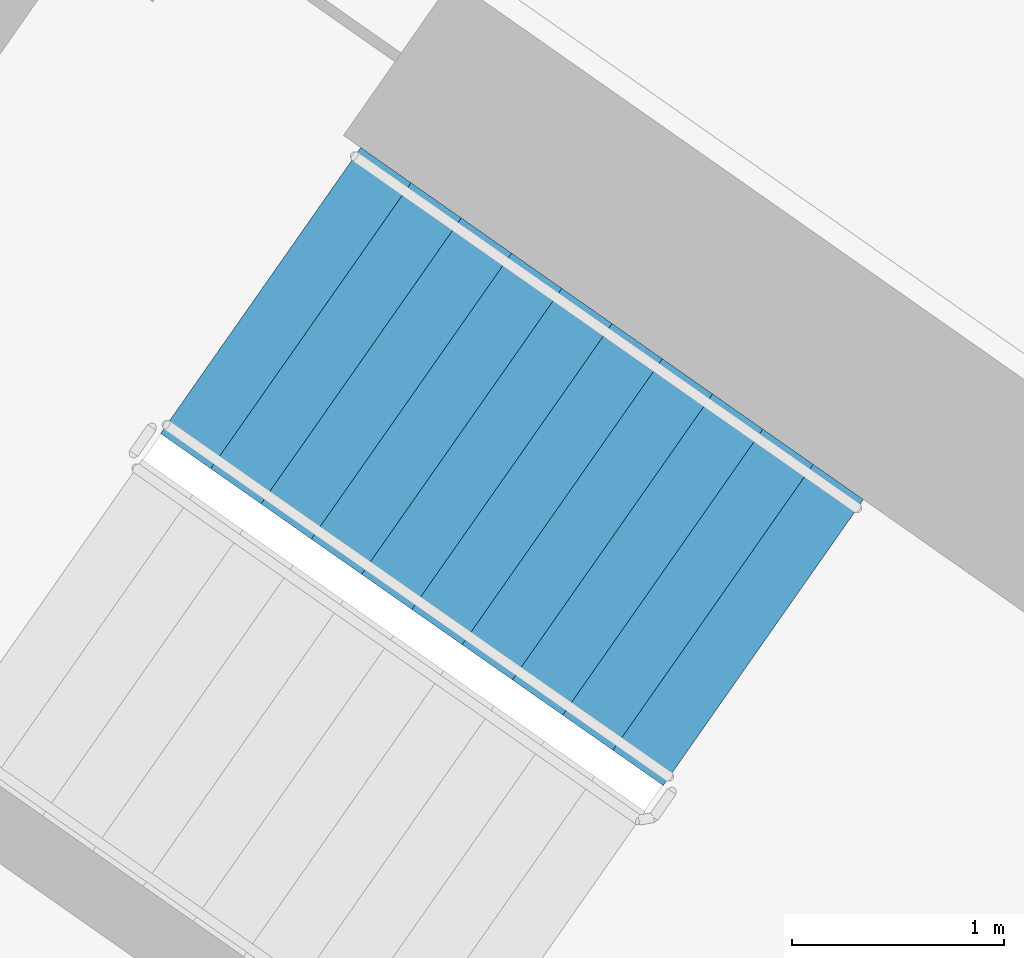
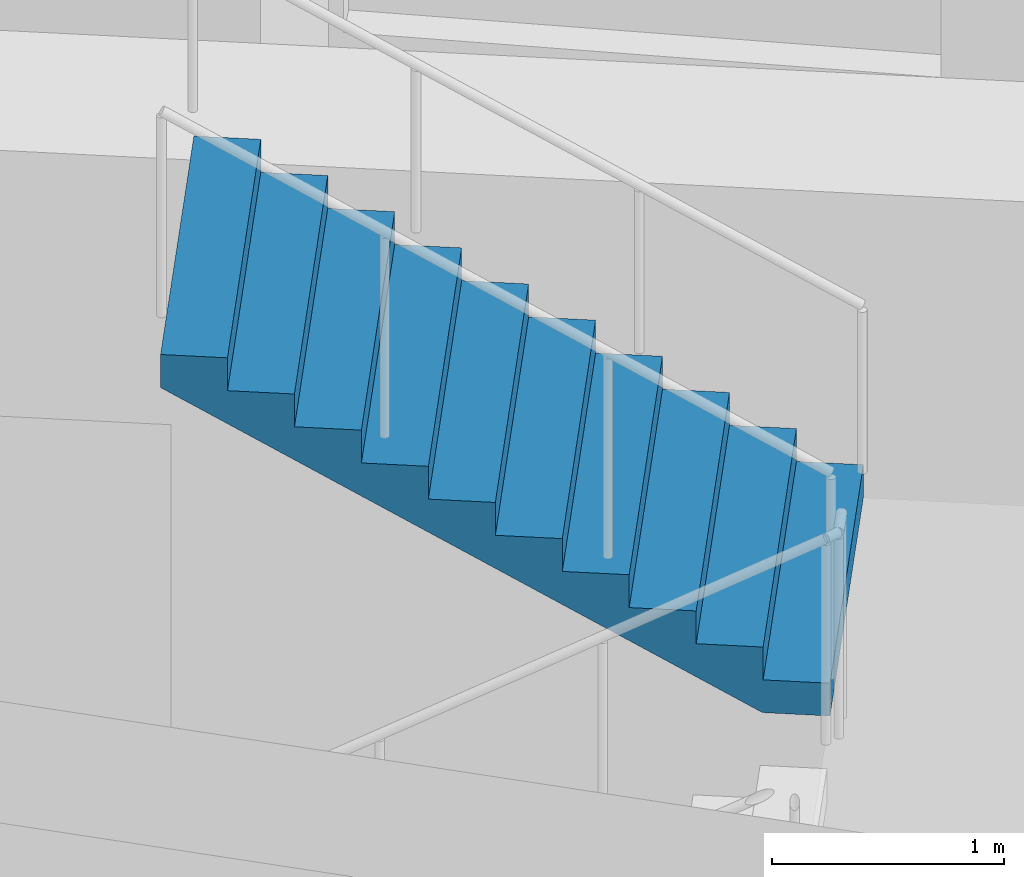
# One storey, part 13 of 30: 1 stair flight, 1 element without a shape of its own.
"""IFC4 building model written with IfcOpenShell, lengths in metres."""

from ifc_helpers import new_model, si_unit, direction, frame, origin, place, context, subcontext, project, spatial, faceted_brep, material, type_object, element, aggregate, save


model = new_model("IFC4")

# Units and contexts
model_context = context("Model", 3, precision=1e-05, world=origin(), true_north=direction((0.0, 1.0)))
body_context = subcontext(model_context, "Body", "Model", "MODEL_VIEW")
ifc_project = project(units=[si_unit("LENGTHUNIT", "METRE"), si_unit("AREAUNIT", "SQUARE_METRE"), si_unit("VOLUMEUNIT", "CUBIC_METRE"), si_unit("PLANEANGLEUNIT", "RADIAN"), si_unit("MASSUNIT", "GRAM", prefix="KILO")], contexts=[model_context])

# Site, building, storey
site_placement = place(None, origin())
site = spatial("IfcSite", under=ifc_project, at=site_placement, CompositionType="ELEMENT")
building_placement = place(site_placement, origin())
building = spatial("IfcBuilding", under=site, at=building_placement, Name="Qamariyya Broadcast Tower", CompositionType="ELEMENT")
storey_placement = place(building_placement, frame((0.0, 0.0, 110.10009765625)))
storey = spatial("IfcBuildingStorey", under=building, at=storey_placement, Name="L24", CompositionType="ELEMENT", Elevation=110.10009765625)

# Stair, stair flight
ifc_material = material(Name="Concrete C50/60", Category="concrete")
stair_type = type_object("IfcStairType", Name="Exit stair 22 risers of 173 mm", PredefinedType="HALF_TURN_STAIR", material=ifc_material)
stair_placement = place(storey_placement, origin())
stair = element("IfcStair", 1, at=stair_placement, inside=storey, type_object=stair_type, Name="L24 Stair W2", PredefinedType="HALF_TURN_STAIR")
stair_flight_type = type_object("IfcStairFlightType", Name="Exit stair flight 11 risers of 173 mm", PredefinedType="STRAIGHT", material=ifc_material)
stair_flight_placement = place(storey_placement, frame((-38.18310546875, -49.3486328125, 1.89990234375), z_axis=(0.0, 0.0, 1.0), x_axis=(-0.819152044289, 0.573576436351, 0.0)))
stair_flight = element("IfcStairFlight", 2, at=stair_flight_placement, type_object=stair_flight_type, Name="ST-W2 flight 2", NumberOfRisers=11, NumberOfTreads=10, PredefinedType="STRAIGHT", RiserHeight=0.172727273, TreadLength=0.29, context=body_context, shape_type="Brep", body=[
    faceted_brep([(0.0, 0.824951171875, 0.0), (0.0, 0.824951171875, 0.172607421875), (0.2900390625, 0.824951171875, 0.172607421875), (0.2900390625, 0.824951171875, 0.345458984375), (0.580078125, 0.824951171875, 0.345458984375), (0.580078125, 0.824951171875, 0.51806640625), (0.8701171875, 0.824951171875, 0.51806640625), (0.8701171875, 0.824951171875, 0.69091796875), (1.159912109375, 0.824951171875, 0.69091796875), (1.159912109375, 0.824951171875, 0.863525390625), (1.449951171875, 0.824951171875, 0.863525390625), (1.449951171875, 0.824951171875, 1.036376953125), (1.739990234375, 0.824951171875, 1.036376953125), (1.739990234375, 0.824951171875, 1.208984375), (2.030029296875, 0.824951171875, 1.208984375), (2.030029296875, 0.824951171875, 1.3818359375), (2.320068359375, 0.824951171875, 1.3818359375), (2.320068359375, 0.824951171875, 1.554443359375), (2.610107421875, 0.824951171875, 1.554443359375), (2.610107421875, 0.824951171875, 1.727294921875), (2.89990234375, 0.824951171875, 1.727294921875), (2.89990234375, 0.824951171875, 1.552734375), (0.29296875, 0.824951171875, 0.0), (0.29296875, -0.824951171875, 0.0), (2.89990234375, -0.824951171875, 1.552734375), (2.89990234375, -0.824951171875, 1.727294921875), (2.610107421875, -0.824951171875, 1.727294921875), (2.610107421875, -0.824951171875, 1.554443359375), (2.320068359375, -0.824951171875, 1.554443359375), (2.320068359375, -0.824951171875, 1.3818359375), (2.030029296875, -0.824951171875, 1.3818359375), (2.030029296875, -0.824951171875, 1.208984375), (1.739990234375, -0.824951171875, 1.208984375), (1.739990234375, -0.824951171875, 1.036376953125), (1.449951171875, -0.824951171875, 1.036376953125), (1.449951171875, -0.824951171875, 0.863525390625), (1.159912109375, -0.824951171875, 0.863525390625), (1.159912109375, -0.824951171875, 0.69091796875), (0.8701171875, -0.824951171875, 0.69091796875), (0.8701171875, -0.824951171875, 0.51806640625), (0.580078125, -0.824951171875, 0.51806640625), (0.580078125, -0.824951171875, 0.345458984375), (0.2900390625, -0.824951171875, 0.345458984375), (0.2900390625, -0.824951171875, 0.172607421875), (0.0, -0.824951171875, 0.172607421875), (0.0, -0.824951171875, 0.0), (0.0, 0.10009765625, 0.0), (0.0, 0.086669921875, 0.0), (0.0, 0.0732421875, 0.0), (0.0, 0.06005859375, 0.0), (0.0, 0.046630859375, 0.0), (0.0, 0.033447265625, 0.0), (0.0, 0.02001953125, 0.0), (0.0, 0.006591796875, 0.0), (0.0, -0.006591796875, 0.0), (0.0, -0.02001953125, 0.0), (0.0, -0.033447265625, 0.0), (0.0, -0.046630859375, 0.0), (0.0, -0.06005859375, 0.0), (0.0, -0.0732421875, 0.0), (0.0, -0.086669921875, 0.0), (0.0, -0.10009765625, 0.0), (0.0, -0.10009765625, 0.172607421875), (0.0, -0.086669921875, 0.172607421875), (0.0, -0.0732421875, 0.172607421875), (0.0, -0.06005859375, 0.172607421875), (0.0, -0.046630859375, 0.172607421875), (0.0, -0.033447265625, 0.172607421875), (0.0, -0.02001953125, 0.172607421875), (0.0, -0.006591796875, 0.172607421875), (0.0, 0.006591796875, 0.172607421875), (0.0, 0.02001953125, 0.172607421875), (0.0, 0.033447265625, 0.172607421875), (0.0, 0.046630859375, 0.172607421875), (0.0, 0.06005859375, 0.172607421875), (0.0, 0.0732421875, 0.172607421875), (0.0, 0.086669921875, 0.172607421875), (0.0, 0.10009765625, 0.172607421875), (0.2900390625, -0.10009765625, 0.172607421875), (0.2900390625, -0.086669921875, 0.172607421875), (0.2900390625, -0.0732421875, 0.172607421875), (0.2900390625, -0.06005859375, 0.172607421875), (0.2900390625, -0.046630859375, 0.172607421875), (0.2900390625, -0.033447265625, 0.172607421875), (0.2900390625, -0.02001953125, 0.172607421875), (0.2900390625, -0.006591796875, 0.172607421875), (0.2900390625, 0.006591796875, 0.172607421875), (0.2900390625, 0.02001953125, 0.172607421875), (0.2900390625, 0.033447265625, 0.172607421875), (0.2900390625, 0.046630859375, 0.172607421875), (0.2900390625, 0.06005859375, 0.172607421875), (0.2900390625, 0.0732421875, 0.172607421875), (0.2900390625, 0.086669921875, 0.172607421875), (0.2900390625, 0.10009765625, 0.172607421875), (0.2900390625, -0.10009765625, 0.345458984375), (0.2900390625, -0.086669921875, 0.345458984375), (0.2900390625, -0.0732421875, 0.345458984375), (0.2900390625, -0.06005859375, 0.345458984375), (0.2900390625, -0.046630859375, 0.345458984375), (0.2900390625, -0.033447265625, 0.345458984375), (0.2900390625, -0.02001953125, 0.345458984375), (0.2900390625, -0.006591796875, 0.345458984375), (0.2900390625, 0.006591796875, 0.345458984375), (0.2900390625, 0.02001953125, 0.345458984375), (0.2900390625, 0.033447265625, 0.345458984375), (0.2900390625, 0.046630859375, 0.345458984375), (0.2900390625, 0.06005859375, 0.345458984375), (0.2900390625, 0.0732421875, 0.345458984375), (0.2900390625, 0.086669921875, 0.345458984375), (0.2900390625, 0.10009765625, 0.345458984375), (0.580078125, -0.10009765625, 0.345458984375), (0.580078125, -0.086669921875, 0.345458984375), (0.580078125, -0.0732421875, 0.345458984375), (0.580078125, -0.06005859375, 0.345458984375), (0.580078125, -0.046630859375, 0.345458984375), (0.580078125, -0.033447265625, 0.345458984375), (0.580078125, -0.02001953125, 0.345458984375), (0.580078125, -0.006591796875, 0.345458984375), (0.580078125, 0.006591796875, 0.345458984375), (0.580078125, 0.02001953125, 0.345458984375), (0.580078125, 0.033447265625, 0.345458984375), (0.580078125, 0.046630859375, 0.345458984375), (0.580078125, 0.06005859375, 0.345458984375), (0.580078125, 0.0732421875, 0.345458984375), (0.580078125, 0.086669921875, 0.345458984375), (0.580078125, 0.10009765625, 0.345458984375), (0.580078125, -0.10009765625, 0.51806640625), (0.580078125, -0.086669921875, 0.51806640625), (0.580078125, -0.0732421875, 0.51806640625), (0.580078125, -0.06005859375, 0.51806640625), (0.580078125, -0.046630859375, 0.51806640625), (0.580078125, -0.033447265625, 0.51806640625), (0.580078125, -0.02001953125, 0.51806640625), (0.580078125, -0.006591796875, 0.51806640625), (0.580078125, 0.006591796875, 0.51806640625), (0.580078125, 0.02001953125, 0.51806640625), (0.580078125, 0.033447265625, 0.51806640625), (0.580078125, 0.046630859375, 0.51806640625), (0.580078125, 0.06005859375, 0.51806640625), (0.580078125, 0.0732421875, 0.51806640625), (0.580078125, 0.086669921875, 0.51806640625), (0.580078125, 0.10009765625, 0.51806640625), (0.8701171875, -0.10009765625, 0.51806640625), (0.8701171875, -0.086669921875, 0.51806640625), (0.8701171875, -0.0732421875, 0.51806640625), (0.8701171875, -0.06005859375, 0.51806640625), (0.8701171875, -0.046630859375, 0.51806640625), (0.8701171875, -0.033447265625, 0.51806640625), (0.8701171875, -0.02001953125, 0.51806640625), (0.8701171875, -0.006591796875, 0.51806640625), (0.8701171875, 0.006591796875, 0.51806640625), (0.8701171875, 0.02001953125, 0.51806640625), (0.8701171875, 0.033447265625, 0.51806640625), (0.8701171875, 0.046630859375, 0.51806640625), (0.8701171875, 0.06005859375, 0.51806640625), (0.8701171875, 0.0732421875, 0.51806640625), (0.8701171875, 0.086669921875, 0.51806640625), (0.8701171875, 0.10009765625, 0.51806640625), (0.8701171875, -0.10009765625, 0.69091796875), (0.8701171875, -0.086669921875, 0.69091796875), (0.8701171875, -0.0732421875, 0.69091796875), (0.8701171875, -0.06005859375, 0.69091796875), (0.8701171875, -0.046630859375, 0.69091796875), (0.8701171875, -0.033447265625, 0.69091796875), (0.8701171875, -0.02001953125, 0.69091796875), (0.8701171875, -0.006591796875, 0.69091796875), (0.8701171875, 0.006591796875, 0.69091796875), (0.8701171875, 0.02001953125, 0.69091796875), (0.8701171875, 0.033447265625, 0.69091796875), (0.8701171875, 0.046630859375, 0.69091796875), (0.8701171875, 0.06005859375, 0.69091796875), (0.8701171875, 0.0732421875, 0.69091796875), (0.8701171875, 0.086669921875, 0.69091796875), (0.8701171875, 0.10009765625, 0.69091796875), (1.159912109375, -0.10009765625, 0.69091796875), (1.159912109375, -0.086669921875, 0.69091796875), (1.159912109375, -0.0732421875, 0.69091796875), (1.159912109375, -0.06005859375, 0.69091796875), (1.159912109375, -0.046630859375, 0.69091796875), (1.159912109375, -0.033447265625, 0.69091796875), (1.159912109375, -0.02001953125, 0.69091796875), (1.159912109375, -0.006591796875, 0.69091796875), (1.159912109375, 0.006591796875, 0.69091796875), (1.159912109375, 0.02001953125, 0.69091796875), (1.159912109375, 0.033447265625, 0.69091796875), (1.159912109375, 0.046630859375, 0.69091796875), (1.159912109375, 0.06005859375, 0.69091796875), (1.159912109375, 0.0732421875, 0.69091796875), (1.159912109375, 0.086669921875, 0.69091796875), (1.159912109375, 0.10009765625, 0.69091796875), (1.159912109375, -0.10009765625, 0.863525390625), (1.159912109375, -0.086669921875, 0.863525390625), (1.159912109375, -0.0732421875, 0.863525390625), (1.159912109375, -0.06005859375, 0.863525390625), (1.159912109375, -0.046630859375, 0.863525390625), (1.159912109375, -0.033447265625, 0.863525390625), (1.159912109375, -0.02001953125, 0.863525390625), (1.159912109375, -0.006591796875, 0.863525390625), (1.159912109375, 0.006591796875, 0.863525390625), (1.159912109375, 0.02001953125, 0.863525390625), (1.159912109375, 0.033447265625, 0.863525390625), (1.159912109375, 0.046630859375, 0.863525390625), (1.159912109375, 0.06005859375, 0.863525390625), (1.159912109375, 0.0732421875, 0.863525390625), (1.159912109375, 0.086669921875, 0.863525390625), (1.159912109375, 0.10009765625, 0.863525390625), (1.449951171875, -0.10009765625, 0.863525390625), (1.449951171875, -0.086669921875, 0.863525390625), (1.449951171875, -0.0732421875, 0.863525390625), (1.449951171875, -0.06005859375, 0.863525390625), (1.449951171875, -0.046630859375, 0.863525390625), (1.449951171875, -0.033447265625, 0.863525390625), (1.449951171875, -0.02001953125, 0.863525390625), (1.449951171875, -0.006591796875, 0.863525390625), (1.449951171875, 0.006591796875, 0.863525390625), (1.449951171875, 0.02001953125, 0.863525390625), (1.449951171875, 0.033447265625, 0.863525390625), (1.449951171875, 0.046630859375, 0.863525390625), (1.449951171875, 0.06005859375, 0.863525390625), (1.449951171875, 0.0732421875, 0.863525390625), (1.449951171875, 0.086669921875, 0.863525390625), (1.449951171875, 0.10009765625, 0.863525390625), (1.449951171875, -0.10009765625, 1.036376953125), (1.449951171875, -0.086669921875, 1.036376953125), (1.449951171875, -0.0732421875, 1.036376953125), (1.449951171875, -0.06005859375, 1.036376953125), (1.449951171875, -0.046630859375, 1.036376953125), (1.449951171875, -0.033447265625, 1.036376953125), (1.449951171875, -0.02001953125, 1.036376953125), (1.449951171875, -0.006591796875, 1.036376953125), (1.449951171875, 0.006591796875, 1.036376953125), (1.449951171875, 0.02001953125, 1.036376953125), (1.449951171875, 0.033447265625, 1.036376953125), (1.449951171875, 0.046630859375, 1.036376953125), (1.449951171875, 0.06005859375, 1.036376953125), (1.449951171875, 0.0732421875, 1.036376953125), (1.449951171875, 0.086669921875, 1.036376953125), (1.449951171875, 0.10009765625, 1.036376953125), (1.739990234375, -0.10009765625, 1.036376953125), (1.739990234375, -0.086669921875, 1.036376953125), (1.739990234375, -0.0732421875, 1.036376953125), (1.739990234375, -0.06005859375, 1.036376953125), (1.739990234375, -0.046630859375, 1.036376953125), (1.739990234375, -0.033447265625, 1.036376953125), (1.739990234375, -0.02001953125, 1.036376953125), (1.739990234375, -0.006591796875, 1.036376953125), (1.739990234375, 0.006591796875, 1.036376953125), (1.739990234375, 0.02001953125, 1.036376953125), (1.739990234375, 0.033447265625, 1.036376953125), (1.739990234375, 0.046630859375, 1.036376953125), (1.739990234375, 0.06005859375, 1.036376953125), (1.739990234375, 0.0732421875, 1.036376953125), (1.739990234375, 0.086669921875, 1.036376953125), (1.739990234375, 0.10009765625, 1.036376953125), (1.739990234375, -0.10009765625, 1.208984375), (1.739990234375, -0.086669921875, 1.208984375), (1.739990234375, -0.0732421875, 1.208984375), (1.739990234375, -0.06005859375, 1.208984375), (1.739990234375, -0.046630859375, 1.208984375), (1.739990234375, -0.033447265625, 1.208984375), (1.739990234375, -0.02001953125, 1.208984375), (1.739990234375, -0.006591796875, 1.208984375), (1.739990234375, 0.006591796875, 1.208984375), (1.739990234375, 0.02001953125, 1.208984375), (1.739990234375, 0.033447265625, 1.208984375), (1.739990234375, 0.046630859375, 1.208984375), (1.739990234375, 0.06005859375, 1.208984375), (1.739990234375, 0.0732421875, 1.208984375), (1.739990234375, 0.086669921875, 1.208984375), (1.739990234375, 0.10009765625, 1.208984375), (2.030029296875, -0.10009765625, 1.208984375), (2.030029296875, -0.086669921875, 1.208984375), (2.030029296875, -0.0732421875, 1.208984375), (2.030029296875, -0.06005859375, 1.208984375), (2.030029296875, -0.046630859375, 1.208984375), (2.030029296875, -0.033447265625, 1.208984375), (2.030029296875, -0.02001953125, 1.208984375), (2.030029296875, -0.006591796875, 1.208984375), (2.030029296875, 0.006591796875, 1.208984375), (2.030029296875, 0.02001953125, 1.208984375), (2.030029296875, 0.033447265625, 1.208984375), (2.030029296875, 0.046630859375, 1.208984375), (2.030029296875, 0.06005859375, 1.208984375), (2.030029296875, 0.0732421875, 1.208984375), (2.030029296875, 0.086669921875, 1.208984375), (2.030029296875, 0.10009765625, 1.208984375), (2.030029296875, -0.10009765625, 1.3818359375), (2.030029296875, -0.086669921875, 1.3818359375), (2.030029296875, -0.0732421875, 1.3818359375), (2.030029296875, -0.06005859375, 1.3818359375), (2.030029296875, -0.046630859375, 1.3818359375), (2.030029296875, -0.033447265625, 1.3818359375), (2.030029296875, -0.02001953125, 1.3818359375), (2.030029296875, -0.006591796875, 1.3818359375), (2.030029296875, 0.006591796875, 1.3818359375), (2.030029296875, 0.02001953125, 1.3818359375), (2.030029296875, 0.033447265625, 1.3818359375), (2.030029296875, 0.046630859375, 1.3818359375), (2.030029296875, 0.06005859375, 1.3818359375), (2.030029296875, 0.0732421875, 1.3818359375), (2.030029296875, 0.086669921875, 1.3818359375), (2.030029296875, 0.10009765625, 1.3818359375), (2.320068359375, -0.10009765625, 1.3818359375), (2.320068359375, -0.086669921875, 1.3818359375), (2.320068359375, -0.0732421875, 1.3818359375), (2.320068359375, -0.06005859375, 1.3818359375), (2.320068359375, -0.046630859375, 1.3818359375), (2.320068359375, -0.033447265625, 1.3818359375), (2.320068359375, -0.02001953125, 1.3818359375), (2.320068359375, -0.006591796875, 1.3818359375), (2.320068359375, 0.006591796875, 1.3818359375), (2.320068359375, 0.02001953125, 1.3818359375), (2.320068359375, 0.033447265625, 1.3818359375), (2.320068359375, 0.046630859375, 1.3818359375), (2.320068359375, 0.06005859375, 1.3818359375), (2.320068359375, 0.0732421875, 1.3818359375), (2.320068359375, 0.086669921875, 1.3818359375), (2.320068359375, 0.10009765625, 1.3818359375), (2.320068359375, -0.10009765625, 1.554443359375), (2.320068359375, -0.086669921875, 1.554443359375), (2.320068359375, -0.0732421875, 1.554443359375), (2.320068359375, -0.06005859375, 1.554443359375), (2.320068359375, -0.046630859375, 1.554443359375), (2.320068359375, -0.033447265625, 1.554443359375), (2.320068359375, -0.02001953125, 1.554443359375), (2.320068359375, -0.006591796875, 1.554443359375), (2.320068359375, 0.006591796875, 1.554443359375), (2.320068359375, 0.02001953125, 1.554443359375), (2.320068359375, 0.033447265625, 1.554443359375), (2.320068359375, 0.046630859375, 1.554443359375), (2.320068359375, 0.06005859375, 1.554443359375), (2.320068359375, 0.0732421875, 1.554443359375), (2.320068359375, 0.086669921875, 1.554443359375), (2.320068359375, 0.10009765625, 1.554443359375), (2.610107421875, -0.10009765625, 1.554443359375), (2.610107421875, -0.086669921875, 1.554443359375), (2.610107421875, -0.0732421875, 1.554443359375), (2.610107421875, -0.06005859375, 1.554443359375), (2.610107421875, -0.046630859375, 1.554443359375), (2.610107421875, -0.033447265625, 1.554443359375), (2.610107421875, -0.02001953125, 1.554443359375), (2.610107421875, -0.006591796875, 1.554443359375), (2.610107421875, 0.006591796875, 1.554443359375), (2.610107421875, 0.02001953125, 1.554443359375), (2.610107421875, 0.033447265625, 1.554443359375), (2.610107421875, 0.046630859375, 1.554443359375), (2.610107421875, 0.06005859375, 1.554443359375), (2.610107421875, 0.0732421875, 1.554443359375), (2.610107421875, 0.086669921875, 1.554443359375), (2.610107421875, 0.10009765625, 1.554443359375), (2.610107421875, -0.10009765625, 1.727294921875), (2.610107421875, -0.086669921875, 1.727294921875), (2.610107421875, -0.0732421875, 1.727294921875), (2.610107421875, -0.06005859375, 1.727294921875), (2.610107421875, -0.046630859375, 1.727294921875), (2.610107421875, -0.033447265625, 1.727294921875), (2.610107421875, -0.02001953125, 1.727294921875), (2.610107421875, -0.006591796875, 1.727294921875), (2.610107421875, 0.006591796875, 1.727294921875), (2.610107421875, 0.02001953125, 1.727294921875), (2.610107421875, 0.033447265625, 1.727294921875), (2.610107421875, 0.046630859375, 1.727294921875), (2.610107421875, 0.06005859375, 1.727294921875), (2.610107421875, 0.0732421875, 1.727294921875), (2.610107421875, 0.086669921875, 1.727294921875), (2.610107421875, 0.10009765625, 1.727294921875), (2.89990234375, -0.10009765625, 1.727294921875), (2.89990234375, -0.086669921875, 1.727294921875), (2.89990234375, -0.0732421875, 1.727294921875), (2.89990234375, -0.06005859375, 1.727294921875), (2.89990234375, -0.046630859375, 1.727294921875), (2.89990234375, -0.033447265625, 1.727294921875), (2.89990234375, -0.02001953125, 1.727294921875), (2.89990234375, -0.006591796875, 1.727294921875), (2.89990234375, 0.006591796875, 1.727294921875), (2.89990234375, 0.02001953125, 1.727294921875), (2.89990234375, 0.033447265625, 1.727294921875), (2.89990234375, 0.046630859375, 1.727294921875), (2.89990234375, 0.06005859375, 1.727294921875), (2.89990234375, 0.0732421875, 1.727294921875), (2.89990234375, 0.086669921875, 1.727294921875), (2.89990234375, 0.10009765625, 1.727294921875), (2.89990234375, -0.10009765625, 1.552734375), (2.89990234375, -0.086669921875, 1.552734375), (2.89990234375, -0.0732421875, 1.552734375), (2.89990234375, -0.06005859375, 1.552734375), (2.89990234375, -0.046630859375, 1.552734375), (2.89990234375, -0.033447265625, 1.552734375), (2.89990234375, -0.02001953125, 1.552734375), (2.89990234375, -0.006591796875, 1.552734375), (2.89990234375, 0.006591796875, 1.552734375), (2.89990234375, 0.02001953125, 1.552734375), (2.89990234375, 0.033447265625, 1.552734375), (2.89990234375, 0.046630859375, 1.552734375), (2.89990234375, 0.06005859375, 1.552734375), (2.89990234375, 0.0732421875, 1.552734375), (2.89990234375, 0.086669921875, 1.552734375), (2.89990234375, 0.10009765625, 1.552734375), (0.29296875, -0.10009765625, 0.0), (0.29296875, -0.086669921875, 0.0), (0.29296875, -0.0732421875, 0.0), (0.29296875, -0.06005859375, 0.0), (0.29296875, -0.046630859375, 0.0), (0.29296875, -0.033447265625, 0.0), (0.29296875, -0.02001953125, 0.0), (0.29296875, -0.006591796875, 0.0), (0.29296875, 0.006591796875, 0.0), (0.29296875, 0.02001953125, 0.0), (0.29296875, 0.033447265625, 0.0), (0.29296875, 0.046630859375, 0.0), (0.29296875, 0.06005859375, 0.0), (0.29296875, 0.0732421875, 0.0), (0.29296875, 0.086669921875, 0.0), (0.29296875, 0.10009765625, 0.0)], [[[0, 1, 2, 3, 4, 5, 6, 7, 8, 9, 10, 11, 12, 13, 14, 15, 16, 17, 18, 19, 20, 21, 22]], [[23, 24, 25, 26, 27, 28, 29, 30, 31, 32, 33, 34, 35, 36, 37, 38, 39, 40, 41, 42, 43, 44, 45]], [[0, 46, 47, 48, 49, 50, 51, 52, 53, 54, 55, 56, 57, 58, 59, 60, 61, 45, 44, 62, 63, 64, 65, 66, 67, 68, 69, 70, 71, 72, 73, 74, 75, 76, 77, 1]], [[1, 77, 76, 75, 74, 73, 72, 71, 70, 69, 68, 67, 66, 65, 64, 63, 62, 44, 43, 78, 79, 80, 81, 82, 83, 84, 85, 86, 87, 88, 89, 90, 91, 92, 93, 2]], [[2, 93, 92, 91, 90, 89, 88, 87, 86, 85, 84, 83, 82, 81, 80, 79, 78, 43, 42, 94, 95, 96, 97, 98, 99, 100, 101, 102, 103, 104, 105, 106, 107, 108, 109, 3]], [[3, 109, 108, 107, 106, 105, 104, 103, 102, 101, 100, 99, 98, 97, 96, 95, 94, 42, 41, 110, 111, 112, 113, 114, 115, 116, 117, 118, 119, 120, 121, 122, 123, 124, 125, 4]], [[4, 125, 124, 123, 122, 121, 120, 119, 118, 117, 116, 115, 114, 113, 112, 111, 110, 41, 40, 126, 127, 128, 129, 130, 131, 132, 133, 134, 135, 136, 137, 138, 139, 140, 141, 5]], [[5, 141, 140, 139, 138, 137, 136, 135, 134, 133, 132, 131, 130, 129, 128, 127, 126, 40, 39, 142, 143, 144, 145, 146, 147, 148, 149, 150, 151, 152, 153, 154, 155, 156, 157, 6]], [[6, 157, 156, 155, 154, 153, 152, 151, 150, 149, 148, 147, 146, 145, 144, 143, 142, 39, 38, 158, 159, 160, 161, 162, 163, 164, 165, 166, 167, 168, 169, 170, 171, 172, 173, 7]], [[7, 173, 172, 171, 170, 169, 168, 167, 166, 165, 164, 163, 162, 161, 160, 159, 158, 38, 37, 174, 175, 176, 177, 178, 179, 180, 181, 182, 183, 184, 185, 186, 187, 188, 189, 8]], [[8, 189, 188, 187, 186, 185, 184, 183, 182, 181, 180, 179, 178, 177, 176, 175, 174, 37, 36, 190, 191, 192, 193, 194, 195, 196, 197, 198, 199, 200, 201, 202, 203, 204, 205, 9]], [[9, 205, 204, 203, 202, 201, 200, 199, 198, 197, 196, 195, 194, 193, 192, 191, 190, 36, 35, 206, 207, 208, 209, 210, 211, 212, 213, 214, 215, 216, 217, 218, 219, 220, 221, 10]], [[10, 221, 220, 219, 218, 217, 216, 215, 214, 213, 212, 211, 210, 209, 208, 207, 206, 35, 34, 222, 223, 224, 225, 226, 227, 228, 229, 230, 231, 232, 233, 234, 235, 236, 237, 11]], [[11, 237, 236, 235, 234, 233, 232, 231, 230, 229, 228, 227, 226, 225, 224, 223, 222, 34, 33, 238, 239, 240, 241, 242, 243, 244, 245, 246, 247, 248, 249, 250, 251, 252, 253, 12]], [[12, 253, 252, 251, 250, 249, 248, 247, 246, 245, 244, 243, 242, 241, 240, 239, 238, 33, 32, 254, 255, 256, 257, 258, 259, 260, 261, 262, 263, 264, 265, 266, 267, 268, 269, 13]], [[13, 269, 268, 267, 266, 265, 264, 263, 262, 261, 260, 259, 258, 257, 256, 255, 254, 32, 31, 270, 271, 272, 273, 274, 275, 276, 277, 278, 279, 280, 281, 282, 283, 284, 285, 14]], [[14, 285, 284, 283, 282, 281, 280, 279, 278, 277, 276, 275, 274, 273, 272, 271, 270, 31, 30, 286, 287, 288, 289, 290, 291, 292, 293, 294, 295, 296, 297, 298, 299, 300, 301, 15]], [[15, 301, 300, 299, 298, 297, 296, 295, 294, 293, 292, 291, 290, 289, 288, 287, 286, 30, 29, 302, 303, 304, 305, 306, 307, 308, 309, 310, 311, 312, 313, 314, 315, 316, 317, 16]], [[16, 317, 316, 315, 314, 313, 312, 311, 310, 309, 308, 307, 306, 305, 304, 303, 302, 29, 28, 318, 319, 320, 321, 322, 323, 324, 325, 326, 327, 328, 329, 330, 331, 332, 333, 17]], [[17, 333, 332, 331, 330, 329, 328, 327, 326, 325, 324, 323, 322, 321, 320, 319, 318, 28, 27, 334, 335, 336, 337, 338, 339, 340, 341, 342, 343, 344, 345, 346, 347, 348, 349, 18]], [[18, 349, 348, 347, 346, 345, 344, 343, 342, 341, 340, 339, 338, 337, 336, 335, 334, 27, 26, 350, 351, 352, 353, 354, 355, 356, 357, 358, 359, 360, 361, 362, 363, 364, 365, 19]], [[19, 365, 364, 363, 362, 361, 360, 359, 358, 357, 356, 355, 354, 353, 352, 351, 350, 26, 25, 366, 367, 368, 369, 370, 371, 372, 373, 374, 375, 376, 377, 378, 379, 380, 381, 20]], [[20, 381, 380, 379, 378, 377, 376, 375, 374, 373, 372, 371, 370, 369, 368, 367, 366, 25, 24, 382, 383, 384, 385, 386, 387, 388, 389, 390, 391, 392, 393, 394, 395, 396, 397, 21]], [[21, 397, 396, 395, 394, 393, 392, 391, 390, 389, 388, 387, 386, 385, 384, 383, 382, 24, 23, 398, 399, 400, 401, 402, 403, 404, 405, 406, 407, 408, 409, 410, 411, 412, 413, 22]], [[22, 413, 412, 411, 410, 409, 408, 407, 406, 405, 404, 403, 402, 401, 400, 399, 398, 23, 45, 61, 60, 59, 58, 57, 56, 55, 54, 53, 52, 51, 50, 49, 48, 47, 46, 0]]]),
])
aggregate(stair, [stair_flight])

save(model, "model.ifc")
